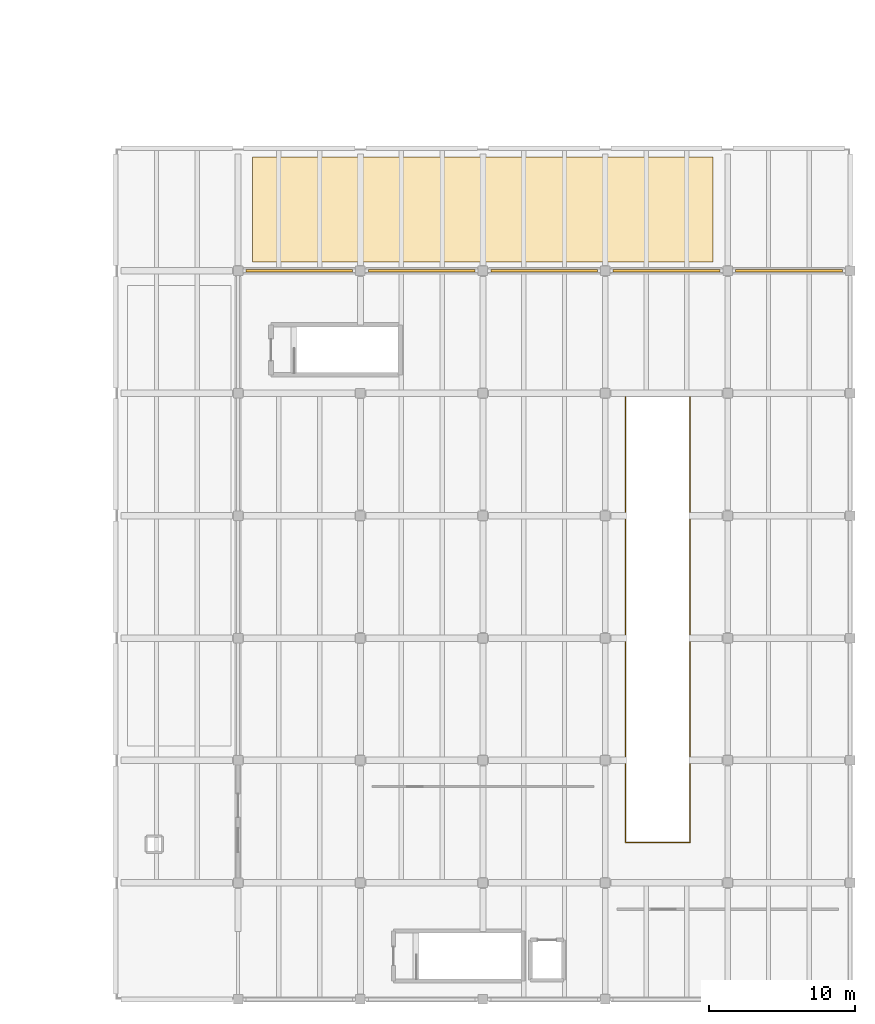
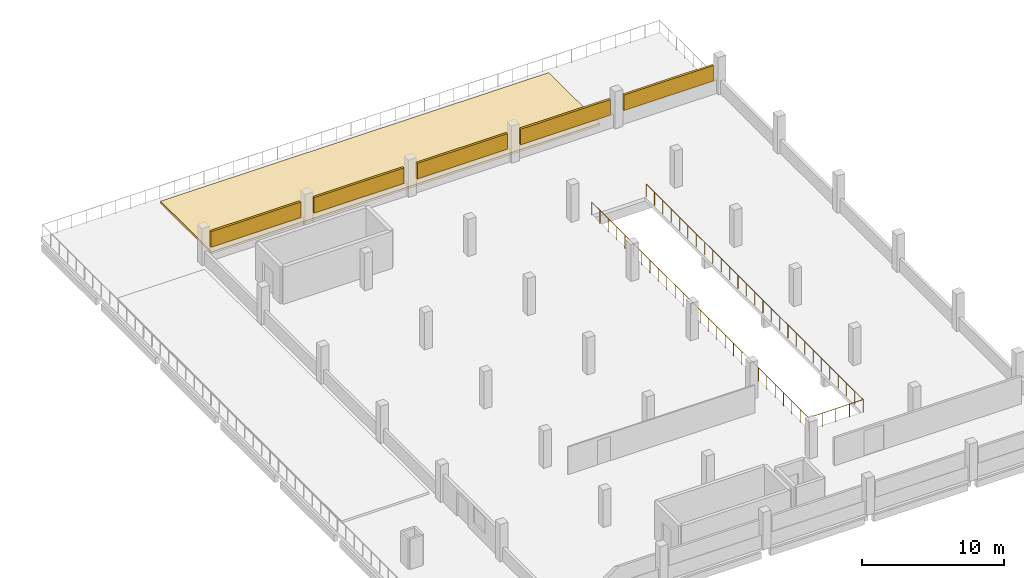
# One storey, part 33 of 33: 5 shading devices, 1 covering, 1 railing.
"""IFC4 building model written with IfcOpenShell, lengths in metres."""

from ifc_helpers import new_model, si_unit, direction, frame, origin, origin_2d, place, context, subcontext, project, spatial, polyline, rectangle, circle, outline, extrude, material, layer, layer_set, type_object, element, save


model = new_model("IFC4")

# Units and contexts
model_context = context("Model", 3, precision=1e-05, world=origin(), true_north=direction((0.0, 1.0)))
body_context = subcontext(model_context, "Body", "Model", "MODEL_VIEW")
ifc_project = project(units=[si_unit("LENGTHUNIT", "METRE"), si_unit("AREAUNIT", "SQUARE_METRE"), si_unit("VOLUMEUNIT", "CUBIC_METRE"), si_unit("PLANEANGLEUNIT", "RADIAN"), si_unit("MASSUNIT", "GRAM", prefix="KILO"), si_unit("THERMODYNAMICTEMPERATUREUNIT", "KELVIN"), si_unit("POWERUNIT", "WATT")], contexts=[model_context])

# Site, building, storey
site_placement = place(None, origin())
site = spatial("IfcSite", under=ifc_project, at=site_placement, CompositionType="ELEMENT")
building_placement = place(site_placement, origin())
building = spatial("IfcBuilding", under=site, at=building_placement, Name="Mavoryth Pier Ferry Terminal", CompositionType="ELEMENT")
storey_placement = place(building_placement, frame((0.0, 0.0, 13.1201171875)))
storey = spatial("IfcBuildingStorey", under=building, at=storey_placement, Name="L03", CompositionType="ELEMENT", Elevation=13.1201171875)

# Railing
ifc_material_1 = material(Name="Galvanised Steel Vehicle-Deck Edge Guardrail", Category="steel")
railing_type = type_object("IfcRailingType", Name="Guard-Deck-Heavy1140", PredefinedType="GUARDRAIL", material=ifc_material_1)
railing_placement = place(storey_placement, frame((152.580078125, 55.35009765625, 0.0)))
element("IfcRailing", 1, at=railing_placement, inside=storey, type_object=railing_type, Name="Guardrail GRD-L03-014", PredefinedType="GUARDRAIL", context=body_context, shape_type="SweptSolid", body=[
    extrude(circle(Radius=0.02392578125, at=origin_2d()), frame((0.0, 0.0, 1.11572265625), z_axis=(0.0, -1.0, 0.0), x_axis=(1.0, 0.0, 0.0)), (0.0, 0.0, 1.0), 30.580078125),
    extrude(circle(Radius=0.02392578125, at=origin_2d()), frame((0.0, -30.580078125, 1.11572265625), z_axis=(1.0, 0.0, 0.0), x_axis=(0.0, 1.0, 0.0)), (0.0, 0.0, 1.0), 4.43994140625),
    extrude(circle(Radius=0.02392578125, at=origin_2d()), frame((4.43994140625, -30.580078125, 1.11572265625), z_axis=(0.0, 1.0, 0.0), x_axis=(-1.0, 0.0, 0.0)), (0.0, 0.0, 1.0), 30.580078125),
    extrude(circle(Radius=0.02099609375, at=origin_2d()), origin(), (0.0, 0.0, 1.0), 1.091796875),
    extrude(circle(Radius=0.02099609375, at=origin_2d()), frame((0.0, -1.17626953125, 0.0)), (0.0, 0.0, 1.0), 1.091796875),
    extrude(circle(Radius=0.02099609375, at=origin_2d()), frame((0.0, -2.352294921875, 0.0)), (0.0, 0.0, 1.0), 1.091796875),
    extrude(circle(Radius=0.02099609375, at=origin_2d()), frame((0.0, -3.528564453125, 0.0)), (0.0, 0.0, 1.0), 1.091796875),
    extrude(circle(Radius=0.02099609375, at=origin_2d()), frame((0.0, -4.70458984375, 0.0)), (0.0, 0.0, 1.0), 1.091796875),
    extrude(circle(Radius=0.02099609375, at=origin_2d()), frame((0.0, -5.880859375, 0.0)), (0.0, 0.0, 1.0), 1.091796875),
    extrude(circle(Radius=0.02099609375, at=origin_2d()), frame((0.0, -7.056884765625, 0.0)), (0.0, 0.0, 1.0), 1.091796875),
    extrude(circle(Radius=0.02099609375, at=origin_2d()), frame((0.0, -8.233154296875, 0.0)), (0.0, 0.0, 1.0), 1.091796875),
    extrude(circle(Radius=0.02099609375, at=origin_2d()), frame((0.0, -9.4091796875, 0.0)), (0.0, 0.0, 1.0), 1.091796875),
    extrude(circle(Radius=0.02099609375, at=origin_2d()), frame((0.0, -10.58544921875, 0.0)), (0.0, 0.0, 1.0), 1.091796875),
    extrude(circle(Radius=0.02099609375, at=origin_2d()), frame((0.0, -11.761474609375, 0.0)), (0.0, 0.0, 1.0), 1.091796875),
    extrude(circle(Radius=0.02099609375, at=origin_2d()), frame((0.0, -12.937744140625, 0.0)), (0.0, 0.0, 1.0), 1.091796875),
    extrude(circle(Radius=0.02099609375, at=origin_2d()), frame((0.0, -14.11376953125, 0.0)), (0.0, 0.0, 1.0), 1.091796875),
    extrude(circle(Radius=0.02099609375, at=origin_2d()), frame((0.0, -15.2900390625, 0.0)), (0.0, 0.0, 1.0), 1.091796875),
    extrude(circle(Radius=0.02099609375, at=origin_2d()), frame((0.0, -16.46630859375, 0.0)), (0.0, 0.0, 1.0), 1.091796875),
    extrude(circle(Radius=0.02099609375, at=origin_2d()), frame((0.0, -17.642333984375, 0.0)), (0.0, 0.0, 1.0), 1.091796875),
    extrude(circle(Radius=0.02099609375, at=origin_2d()), frame((0.0, -18.818603515625, 0.0)), (0.0, 0.0, 1.0), 1.091796875),
    extrude(circle(Radius=0.02099609375, at=origin_2d()), frame((0.0, -19.99462890625, 0.0)), (0.0, 0.0, 1.0), 1.091796875),
    extrude(circle(Radius=0.02099609375, at=origin_2d()), frame((0.0, -21.1708984375, 0.0)), (0.0, 0.0, 1.0), 1.091796875),
    extrude(circle(Radius=0.02099609375, at=origin_2d()), frame((0.0, -22.346923828125, 0.0)), (0.0, 0.0, 1.0), 1.091796875),
    extrude(circle(Radius=0.02099609375, at=origin_2d()), frame((0.0, -23.523193359375, 0.0)), (0.0, 0.0, 1.0), 1.091796875),
    extrude(circle(Radius=0.02099609375, at=origin_2d()), frame((0.0, -24.69921875, 0.0)), (0.0, 0.0, 1.0), 1.091796875),
    extrude(circle(Radius=0.02099609375, at=origin_2d()), frame((0.0, -25.87548828125, 0.0)), (0.0, 0.0, 1.0), 1.091796875),
    extrude(circle(Radius=0.02099609375, at=origin_2d()), frame((0.0, -27.051513671875, 0.0)), (0.0, 0.0, 1.0), 1.091796875),
    extrude(circle(Radius=0.02099609375, at=origin_2d()), frame((0.0, -28.227783203125, 0.0)), (0.0, 0.0, 1.0), 1.091796875),
    extrude(circle(Radius=0.02099609375, at=origin_2d()), frame((0.0, -29.40380859375, 0.0)), (0.0, 0.0, 1.0), 1.091796875),
    extrude(circle(Radius=0.02099609375, at=origin_2d()), frame((0.0, -30.580078125, 0.0)), (0.0, 0.0, 1.0), 1.091796875),
    extrude(circle(Radius=0.02099609375, at=origin_2d()), frame((1.10986328125, -30.580078125, 0.0)), (0.0, 0.0, 1.0), 1.091796875),
    extrude(circle(Radius=0.02099609375, at=origin_2d()), frame((2.219970703125, -30.580078125, 0.0)), (0.0, 0.0, 1.0), 1.091796875),
    extrude(circle(Radius=0.02099609375, at=origin_2d()), frame((3.330078125, -30.580078125, 0.0)), (0.0, 0.0, 1.0), 1.091796875),
    extrude(circle(Radius=0.02099609375, at=origin_2d()), frame((4.43994140625, -30.580078125, 0.0)), (0.0, 0.0, 1.0), 1.091796875),
    extrude(circle(Radius=0.02099609375, at=origin_2d()), frame((4.43994140625, -29.40380859375, 0.0)), (0.0, 0.0, 1.0), 1.091796875),
    extrude(circle(Radius=0.02099609375, at=origin_2d()), frame((4.43994140625, -28.227783203125, 0.0)), (0.0, 0.0, 1.0), 1.091796875),
    extrude(circle(Radius=0.02099609375, at=origin_2d()), frame((4.43994140625, -27.051513671875, 0.0)), (0.0, 0.0, 1.0), 1.091796875),
    extrude(circle(Radius=0.02099609375, at=origin_2d()), frame((4.43994140625, -25.87548828125, 0.0)), (0.0, 0.0, 1.0), 1.091796875),
    extrude(circle(Radius=0.02099609375, at=origin_2d()), frame((4.43994140625, -24.69921875, 0.0)), (0.0, 0.0, 1.0), 1.091796875),
    extrude(circle(Radius=0.02099609375, at=origin_2d()), frame((4.43994140625, -23.523193359375, 0.0)), (0.0, 0.0, 1.0), 1.091796875),
    extrude(circle(Radius=0.02099609375, at=origin_2d()), frame((4.43994140625, -22.346923828125, 0.0)), (0.0, 0.0, 1.0), 1.091796875),
    extrude(circle(Radius=0.02099609375, at=origin_2d()), frame((4.43994140625, -21.1708984375, 0.0)), (0.0, 0.0, 1.0), 1.091796875),
    extrude(circle(Radius=0.02099609375, at=origin_2d()), frame((4.43994140625, -19.99462890625, 0.0)), (0.0, 0.0, 1.0), 1.091796875),
    extrude(circle(Radius=0.02099609375, at=origin_2d()), frame((4.43994140625, -18.818603515625, 0.0)), (0.0, 0.0, 1.0), 1.091796875),
    extrude(circle(Radius=0.02099609375, at=origin_2d()), frame((4.43994140625, -17.642333984375, 0.0)), (0.0, 0.0, 1.0), 1.091796875),
    extrude(circle(Radius=0.02099609375, at=origin_2d()), frame((4.43994140625, -16.46630859375, 0.0)), (0.0, 0.0, 1.0), 1.091796875),
    extrude(circle(Radius=0.02099609375, at=origin_2d()), frame((4.43994140625, -15.2900390625, 0.0)), (0.0, 0.0, 1.0), 1.091796875),
    extrude(circle(Radius=0.02099609375, at=origin_2d()), frame((4.43994140625, -14.11376953125, 0.0)), (0.0, 0.0, 1.0), 1.091796875),
    extrude(circle(Radius=0.02099609375, at=origin_2d()), frame((4.43994140625, -12.937744140625, 0.0)), (0.0, 0.0, 1.0), 1.091796875),
    extrude(circle(Radius=0.02099609375, at=origin_2d()), frame((4.43994140625, -11.761474609375, 0.0)), (0.0, 0.0, 1.0), 1.091796875),
    extrude(circle(Radius=0.02099609375, at=origin_2d()), frame((4.43994140625, -10.58544921875, 0.0)), (0.0, 0.0, 1.0), 1.091796875),
    extrude(circle(Radius=0.02099609375, at=origin_2d()), frame((4.43994140625, -9.4091796875, 0.0)), (0.0, 0.0, 1.0), 1.091796875),
    extrude(circle(Radius=0.02099609375, at=origin_2d()), frame((4.43994140625, -8.233154296875, 0.0)), (0.0, 0.0, 1.0), 1.091796875),
    extrude(circle(Radius=0.02099609375, at=origin_2d()), frame((4.43994140625, -7.056884765625, 0.0)), (0.0, 0.0, 1.0), 1.091796875),
    extrude(circle(Radius=0.02099609375, at=origin_2d()), frame((4.43994140625, -5.880859375, 0.0)), (0.0, 0.0, 1.0), 1.091796875),
    extrude(circle(Radius=0.02099609375, at=origin_2d()), frame((4.43994140625, -4.70458984375, 0.0)), (0.0, 0.0, 1.0), 1.091796875),
    extrude(circle(Radius=0.02099609375, at=origin_2d()), frame((4.43994140625, -3.528564453125, 0.0)), (0.0, 0.0, 1.0), 1.091796875),
    extrude(circle(Radius=0.02099609375, at=origin_2d()), frame((4.43994140625, -2.352294921875, 0.0)), (0.0, 0.0, 1.0), 1.091796875),
    extrude(circle(Radius=0.02099609375, at=origin_2d()), frame((4.43994140625, -1.17626953125, 0.0)), (0.0, 0.0, 1.0), 1.091796875),
    extrude(circle(Radius=0.02099609375, at=origin_2d()), frame((4.43994140625, 0.0, 0.0)), (0.0, 0.0, 1.0), 1.091796875),
])

# Covering
ifc_material_2 = material(Name="Mediterranean Extensive Planted Roof Substrate")
ifc_layer = layer(ifc_material_2, 0.179931640625, Name="Mediterranean Extensive Planted Roof Substrate")
ifc_layer_set = layer_set([ifc_layer], Name="Mediterranean Extensive Planted Roof Substrate - Roof-PlantedGarden-180")
covering_type = type_object("IfcCoveringType", Name="Roof-PlantedGarden-180", PredefinedType="ROOFING", material=ifc_layer_set)
covering_placement = place(storey_placement, origin())
element("IfcCovering", 2, at=covering_placement, inside=storey, type_object=covering_type, Name="Covering COV-L03-019", PredefinedType="ROOFING", context=body_context, shape_type="SweptSolid", body=[
    extrude(outline(polyline([(127.0, 64.60009765625), (158.60009765625, 64.60009765625), (158.60009765625, 71.800048828125), (127.0, 71.800048828125), (127.0, 64.60009765625)])), origin(), (0.0, 0.0, 1.0), 0.179931640625),
])

# Shading devices
ifc_material_3 = material(Name="Perforated Glazed Ceramic Solar Screen")
shading_device_type = type_object("IfcShadingDeviceType", Name="Screen-Ceramic-Bay6400x1700", PredefinedType="JALOUSIE", material=ifc_material_3)
for number, where, z_axis, x_axis, name in (
    (3, (130.199951171875, 64.0, 1.14990234375), (0.0, 0.0, 1.0), (1.0, 0.0, 0.0), "Perforated Glazed Ceramic Solar Screen 28"),
    (4, (138.60009765625, 64.0, 1.14990234375), (0.0, 0.0, 1.0), (1.0, 0.0, 0.0), "Perforated Glazed Ceramic Solar Screen 30"),
    (5, (147.0, 64.0, 1.14990234375), (0.0, 0.0, 1.0), (1.0, 0.0, 0.0), "Perforated Glazed Ceramic Solar Screen 32"),
    (6, (155.39990234375, 64.0, 1.14990234375), (0.0, 0.0, 1.0), (1.0, 0.0, 0.0), "Perforated Glazed Ceramic Solar Screen 34"),
    (7, (163.800048828125, 64.0, 1.14990234375), (0.0, 0.0, 1.0), (1.0, 0.0, 0.0), "Perforated Glazed Ceramic Solar Screen 36"),
):
    element("IfcShadingDevice", number, at=place(storey_placement, frame(where, z_axis=z_axis, x_axis=x_axis)), inside=storey, type_object=shading_device_type, Name=name, PredefinedType="JALOUSIE", context=body_context, shape_type="SweptSolid", body=[
        extrude(rectangle(XDim=7.320068359375, YDim=0.179931640625, at=origin_2d()), origin(), (0.0, 0.0, 1.0), 1.3349609375),
    ])

save(model, "model.ifc")
